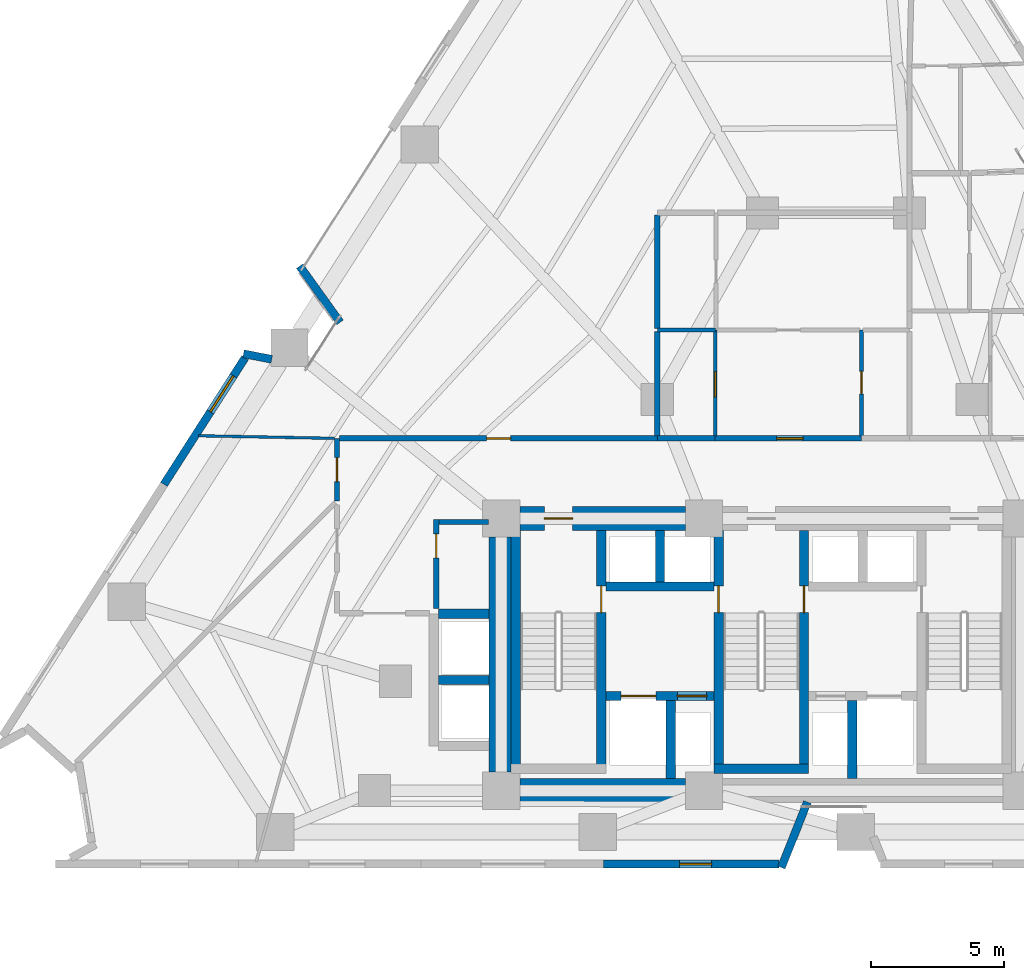
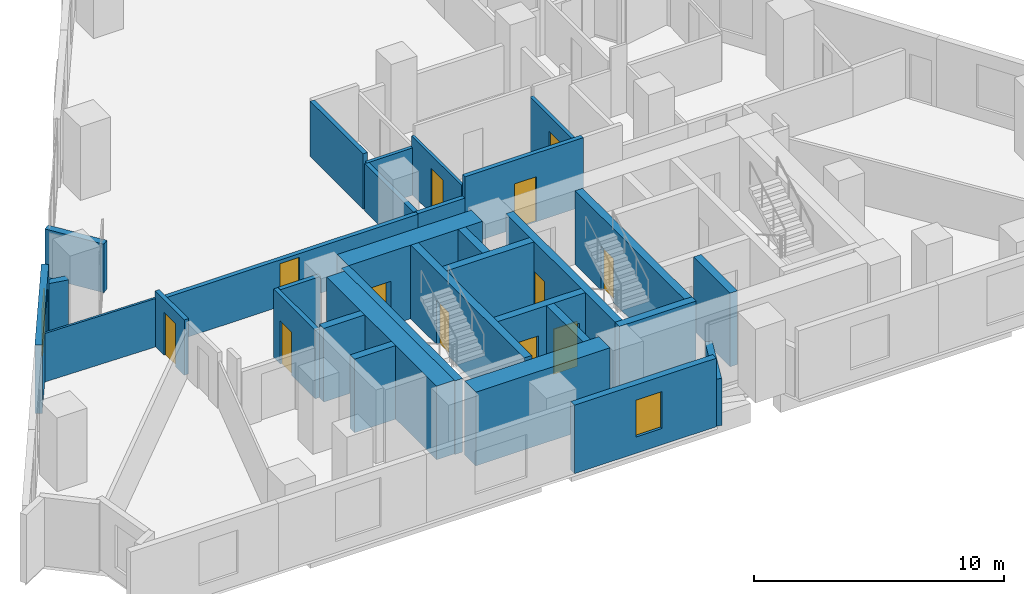
# One storey, part 7 of 13: 32 walls, 12 doors, 2 windows, 14 openings.
"""IFC4 building model written with IfcOpenShell, lengths in metres."""

from ifc_helpers import new_model, si_unit, direction, frame, frame_2d, origin, place, context, subcontext, project, spatial, rectangle, extrude, material, layer, layer_set, type_object, element, fill, save


model = new_model("IFC4")

# Units and contexts
model_context = context("Model", 3, precision=1e-05, world=origin(), true_north=direction((0.0, 1.0)))
body_context = subcontext(model_context, "Body", "Model", "MODEL_VIEW")
ifc_project = project(units=[si_unit("LENGTHUNIT", "METRE"), si_unit("AREAUNIT", "SQUARE_METRE"), si_unit("VOLUMEUNIT", "CUBIC_METRE"), si_unit("PLANEANGLEUNIT", "RADIAN"), si_unit("MASSUNIT", "GRAM", prefix="KILO")], contexts=[model_context])

# Site, building, storey
site_placement = place(None, origin())
site = spatial("IfcSite", under=ifc_project, at=site_placement, CompositionType="ELEMENT")
building_placement = place(site_placement, origin())
building = spatial("IfcBuilding", under=site, at=building_placement, Name="Almagre Mirador Tower", CompositionType="ELEMENT")
storey_placement = place(building_placement, frame((0.0, 0.0, 57.0)))
storey = spatial("IfcBuildingStorey", under=building, at=storey_placement, Name="L13", CompositionType="ELEMENT", Elevation=57.0)

# Walls
ifc_material_1 = material(Name="Precast concrete C50/60", Category="concrete")
ifc_layer_1 = layer(ifc_material_1, 0.300048828125)
ifc_layer_set_1 = layer_set([ifc_layer_1], Name="Precast concrete C50/60")
wall_type_1 = type_object("IfcWallType", Name="WAL-EXT-300", PredefinedType="SOLIDWALL", material=ifc_layer_set_1)
wall_1_placement = place(storey_placement, frame((17.896484375, 20.919677734375, 0.0), z_axis=(0.0, 0.0, 1.0), x_axis=(0.981760821738, -0.19012019593, 0.0)))
element("IfcWall", 1, at=wall_1_placement, inside=storey, type_object=wall_type_1, Name="L13 expressed almagre precast frame wall 01", PredefinedType="SOLIDWALL", context=body_context, shape_type="SweptSolid", body=[
    extrude(rectangle(XDim=1.081298828125, YDim=0.300048828125, at=frame_2d((0.54052734375, 0.0))), origin(), (0.0, 0.0, 1.0), 2.375),
])
wall_2_placement = place(storey_placement, frame((21.5146484375, 22.098388671875, 0.0), z_axis=(0.0, 0.0, 1.0), x_axis=(-0.58299973372, 0.812472344442, 0.0)))
element("IfcWall", 2, at=wall_2_placement, inside=storey, type_object=wall_type_1, Name="L13 expressed almagre precast frame wall 02", PredefinedType="SOLIDWALL", context=body_context, shape_type="SweptSolid", body=[
    extrude(rectangle(XDim=2.59375, YDim=0.300048828125, at=frame_2d((1.296875, 0.0))), origin(), (0.0, 0.0, 1.0), 2.375),
])
wall_3_placement = place(storey_placement, frame((39.0244140625, 4.124755859375, 0.0), z_axis=(0.0, 0.0, 1.0), x_axis=(-0.369477840539, -0.929239541426, 0.0)))
element("IfcWall", 3, at=wall_3_placement, inside=storey, type_object=wall_type_1, Name="L13 expressed almagre precast frame wall 27", PredefinedType="SOLIDWALL", context=body_context, shape_type="SweptSolid", body=[
    extrude(rectangle(XDim=2.641845703125, YDim=0.300048828125, at=frame_2d((1.32080078125, 0.0))), origin(), (0.0, 0.0, 1.0), 2.300048828125),
])

# Wall, opening, window
wall_4_placement = place(storey_placement, frame((37.965087890625, 1.800048828125, 0.0), z_axis=(0.0, 0.0, 1.0), x_axis=(-1.0, 0.0, 0.0)))
wall_4 = element("IfcWall", 4, at=wall_4_placement, inside=storey, type_object=wall_type_1, Name="L13 expressed almagre precast frame wall 28", PredefinedType="SOLIDWALL", context=body_context, shape_type="SweptSolid", body=[
    extrude(rectangle(XDim=6.570068359375, YDim=0.300048828125, at=frame_2d((3.28515625, 0.0))), origin(), (0.0, 0.0, 1.0), 3.35009765625),
])
opening_1_placement = place(wall_4_placement, frame((2.52490234375, 0.0, 0.800048828125)))
opening_1 = element("IfcOpeningElement", 5, at=opening_1_placement, cuts=wall_4, Name="Opening WN-04", PredefinedType="OPENING", context=body_context, shape_type="SweptSolid", body=[
    extrude(rectangle(XDim=1.199951171875, YDim=1.800048828125, at=frame_2d((0.60009765625, 0.89990234375))), frame((0.0, 0.159902, 0.0), z_axis=(0.0, -1.0, 0.0), x_axis=(1.0, 0.0, 0.0)), (0.0, 0.0, 1.0), 0.320049),
])
ifc_material_2 = material(Name="Dark solar-control laminated hurricane glass", Category="glass")
window_type_1 = type_object("IfcWindowType", Name="WIN-1200X1800", PartitioningType="SINGLE_PANEL", PredefinedType="WINDOW", material=ifc_material_2)
window_1_placement = place(opening_1_placement, origin())
window_1 = element("IfcWindow", 6, at=window_1_placement, inside=storey, type_object=window_type_1, Name="L13 recessed hurricane window L13-RST-B", OverallHeight=1.800048828125, OverallWidth=1.199951171875, PartitioningType="SINGLE_PANEL", PredefinedType="WINDOW", context=body_context, shape_type="SweptSolid", body=[
    extrude(rectangle(XDim=1.199951171875, YDim=1.800048828125, at=frame_2d((0.60009765625, 0.89990234375))), frame((0.0, 0.030029296875, 0.0), z_axis=(0.0, -1.0, 0.0), x_axis=(1.0, 0.0, 0.0)), (0.0, 0.0, 1.0), 0.06005859375),
])
fill(opening_1, window_1)

wall_5_placement = place(storey_placement, frame((14.916259765625, 16.02734375, 0.0), z_axis=(0.0, 0.0, 1.0), x_axis=(0.53951188624, 0.841977983445, 0.0)))
wall_5 = element("IfcWall", 7, at=wall_5_placement, inside=storey, type_object=wall_type_1, Name="L13 expressed almagre precast frame wall 38", PredefinedType="SOLIDWALL", context=body_context, shape_type="SweptSolid", body=[
    extrude(rectangle(XDim=5.638916015625, YDim=0.300048828125, at=frame_2d((2.8193359375, 0.0))), origin(), (0.0, 0.0, 1.0), 3.35009765625),
])
opening_2_placement = place(wall_5_placement, frame((3.22509765625, 0.0, 0.550048828125)))
opening_2 = element("IfcOpeningElement", 8, at=opening_2_placement, cuts=wall_5, Name="Opening WN-06", PredefinedType="OPENING", context=body_context, shape_type="SweptSolid", body=[
    extrude(rectangle(XDim=1.60009765625, YDim=2.199951171875, at=frame_2d((0.800048828125, 1.10009765625))), frame((0.0, 0.159902, 0.0), z_axis=(0.0, -1.0, 0.0), x_axis=(1.0, 0.0, 0.0)), (0.0, 0.0, 1.0), 0.320049),
])
ifc_material_3 = material(Name="Dark solar-control laminated hurricane glass", Category="glass")
window_type_2 = type_object("IfcWindowType", Name="WIN-1600X2200", PartitioningType="DOUBLE_PANEL_VERTICAL", PredefinedType="WINDOW", material=ifc_material_3)
window_2_placement = place(opening_2_placement, origin())
window_2 = element("IfcWindow", 9, at=window_2_placement, inside=storey, type_object=window_type_2, Name="L13 recessed hurricane window L13-RST-H", OverallHeight=2.199951171875, OverallWidth=1.60009765625, PartitioningType="SINGLE_PANEL", PredefinedType="WINDOW", context=body_context, shape_type="SweptSolid", body=[
    extrude(rectangle(XDim=1.60009765625, YDim=2.199951171875, at=frame_2d((0.800048828125, 1.10009765625))), frame((0.0, 0.030029296875, 0.0), z_axis=(0.0, -1.0, 0.0), x_axis=(1.0, 0.0, 0.0)), (0.0, 0.0, 1.0), 0.06005859375),
])
fill(opening_2, window_2)

# Wall
ifc_material_4 = material(Name="Gypsum acoustic stud partition", Category="other")
ifc_layer_2 = layer(ifc_material_4, 0.10009765625)
ifc_layer_set_2 = layer_set([ifc_layer_2], Name="Gypsum acoustic stud partition")
wall_type_2 = type_object("IfcWallType", Name="WAL-PRT-100-CLS", PredefinedType="PARTITIONING", material=ifc_layer_set_2)
wall_6_placement = place(storey_placement, frame((21.31494140625, 17.751220703125, 0.0), z_axis=(0.0, 0.0, 1.0), x_axis=(-0.999820581263, 0.018942156262, 0.0)))
element("IfcWall", 10, at=wall_6_placement, inside=storey, type_object=wall_type_2, Name="L13 interior partition 017", PredefinedType="PARTITIONING", context=body_context, shape_type="SweptSolid", body=[
    extrude(rectangle(XDim=5.10400390625, YDim=0.10009765625, at=frame_2d((2.552001953125, 0.0))), origin(), (0.0, 0.0, 1.0), 2.3701171875),
])

# Wall, opening, door
ifc_material_5 = material(Name="Gypsum acoustic stud partition", Category="other")
ifc_layer_3 = layer(ifc_material_5, 0.125)
ifc_layer_set_3 = layer_set([ifc_layer_3], Name="Gypsum acoustic stud partition")
wall_type_3 = type_object("IfcWallType", Name="WAL-PRT-125-UTL", PredefinedType="PARTITIONING", material=ifc_layer_set_3)
wall_7_placement = place(storey_placement, frame((35.570068359375, 21.81005859375, 0.0), z_axis=(0.0, 0.0, 1.0), x_axis=(0.0, -1.0, 0.0)))
wall_7 = element("IfcWall", 11, at=wall_7_placement, inside=storey, type_object=wall_type_3, Name="L13 interior partition 021", PredefinedType="PARTITIONING", context=body_context, shape_type="SweptSolid", body=[
    extrude(rectangle(XDim=3.97509765625, YDim=0.125, at=frame_2d((1.987548828125, 0.0))), origin(), (0.0, 0.0, 1.0), 2.85302734375),
])
opening_3_placement = place(wall_7_placement, frame((1.554931640625, 0.0, 0.0)))
opening_3 = element("IfcOpeningElement", 12, at=opening_3_placement, cuts=wall_7, Name="Opening UD-01", PredefinedType="OPENING", context=body_context, shape_type="SweptSolid", body=[
    extrude(rectangle(XDim=0.949951171875, YDim=2.199951171875, at=frame_2d((0.47509765625, 1.10009765625))), frame((0.0, 0.0725, 0.0), z_axis=(0.0, -1.0, 0.0), x_axis=(1.0, 0.0, 0.0)), (0.0, 0.0, 1.0), 0.145),
])
ifc_material_6 = material(Name="Solid American walnut timber", Category="wood")
door_type_1 = type_object("IfcDoorType", Name="DOR-UNR-950X2200", OperationType="NOTDEFINED", PredefinedType="DOOR", material=ifc_material_6)
door_1_placement = place(opening_3_placement, origin())
door_1 = element("IfcDoor", 13, at=door_1_placement, inside=storey, type_object=door_type_1, Name="DR-0433 L13 interior door L13-UF-LV to L13-UF-KT", OperationType="SINGLE_SWING_LEFT", OverallHeight=2.199951171875, OverallWidth=0.949951171875, PredefinedType="DOOR", context=body_context, shape_type="SweptSolid", body=[
    extrude(rectangle(XDim=0.949951171875, YDim=2.199951171875, at=frame_2d((0.47509765625, 1.10009765625))), frame((0.0, 0.02490234375, 0.0), z_axis=(0.0, -1.0, 0.0), x_axis=(1.0, 0.0, 0.0)), (0.0, 0.0, 1.0), 0.050048828125),
])
fill(opening_3, door_1)

ifc_material_7 = material(Name="Gypsum acoustic stud partition", Category="other")
ifc_layer_4 = layer(ifc_material_7, 0.14990234375)
ifc_layer_set_4 = layer_set([ifc_layer_4], Name="Gypsum acoustic stud partition")
wall_type_4 = type_object("IfcWallType", Name="WAL-PRT-150-STD", PredefinedType="PARTITIONING", material=ifc_layer_set_4)
wall_8_placement = place(storey_placement, frame((41.050048828125, 17.8349609375, 0.0), z_axis=(0.0, 0.0, 1.0), x_axis=(0.0, 1.0, 0.0)))
wall_8 = element("IfcWall", 14, at=wall_8_placement, inside=storey, type_object=wall_type_4, Name="L13 interior partition 020", PredefinedType="PARTITIONING", context=body_context, shape_type="SweptSolid", body=[
    extrude(rectangle(XDim=3.97509765625, YDim=0.14990234375, at=frame_2d((1.987548828125, 0.0))), origin(), (0.0, 0.0, 1.0), 2.85302734375),
])
opening_4_placement = place(wall_8_placement, frame((1.57861328125, 0.0, 0.0)))
opening_4 = element("IfcOpeningElement", 15, at=opening_4_placement, cuts=wall_8, Name="Opening UD-04", PredefinedType="OPENING", context=body_context, shape_type="SweptSolid", body=[
    extrude(rectangle(XDim=0.85009765625, YDim=2.10009765625, at=frame_2d((0.425048828125, 1.050048828125))), frame((0.0, 0.084951, 0.0), z_axis=(0.0, -1.0, 0.0), x_axis=(1.0, 0.0, 0.0)), (0.0, 0.0, 1.0), 0.169902),
])
ifc_material_8 = material(Name="Moisture-resistant oak timber", Category="wood")
door_type_2 = type_object("IfcDoorType", Name="DOR-UNR-850X2100", OperationType="NOTDEFINED", PredefinedType="DOOR", material=ifc_material_8)
door_2_placement = place(opening_4_placement, origin())
door_2 = element("IfcDoor", 16, at=door_2_placement, inside=storey, type_object=door_type_2, Name="DR-0434 L13 interior door L13-UF-LV to L13-UF-HB", OperationType="SINGLE_SWING_RIGHT", OverallHeight=2.10009765625, OverallWidth=0.85009765625, PredefinedType="DOOR", context=body_context, shape_type="SweptSolid", body=[
    extrude(rectangle(XDim=0.85009765625, YDim=2.10009765625, at=frame_2d((0.425048828125, 1.050048828125))), frame((0.0, 0.02490234375, 0.0), z_axis=(0.0, -1.0, 0.0), x_axis=(1.0, 0.0, 0.0)), (0.0, 0.0, 1.0), 0.050048828125),
])
fill(opening_4, door_2)

# Wall
wall_9_placement = place(storey_placement, frame((35.58251953125, 21.81005859375, 0.0), z_axis=(0.0, 0.0, 1.0), x_axis=(-1.0, 0.0, 0.0)))
element("IfcWall", 17, at=wall_9_placement, inside=storey, type_object=wall_type_4, Name="L13 interior partition 025", PredefinedType="PARTITIONING", context=body_context, shape_type="SweptSolid", body=[
    extrude(rectangle(XDim=2.1826171875, YDim=0.14990234375, at=frame_2d((1.09130859375, 0.0))), origin(), (0.0, 0.0, 1.0), 2.30908203125),
])

# Wall, opening, door
ifc_material_9 = material(Name="Gypsum acoustic stud partition", Category="other")
ifc_layer_5 = layer(ifc_material_9, 0.199951171875)
ifc_layer_set_5 = layer_set([ifc_layer_5], Name="Gypsum acoustic stud partition")
wall_type_5 = type_object("IfcWallType", Name="WAL-PRT-200-EI60", PredefinedType="PARTITIONING", material=ifc_layer_set_5)
wall_10_placement = place(storey_placement, frame((25.1201171875, 11.3701171875, 0.0), z_axis=(0.0, 0.0, 1.0), x_axis=(0.0, 1.0, 0.0)))
wall_10 = element("IfcWall", 18, at=wall_10_placement, inside=storey, type_object=wall_type_5, Name="L13 core ancillary west wall", PredefinedType="PARTITIONING", context=body_context, shape_type="SweptSolid", body=[
    extrude(rectangle(XDim=3.33984375, YDim=0.199951171875, at=frame_2d((1.669921875, 0.0))), origin(), (0.0, 0.0, 1.0), 3.35009765625),
])
opening_5_placement = place(wall_10_placement, frame((1.89990234375, 0.0, 0.0)))
opening_5 = element("IfcOpeningElement", 19, at=opening_5_placement, cuts=wall_10, Name="Opening ID-03", PredefinedType="OPENING", context=body_context, shape_type="SweptSolid", body=[
    extrude(rectangle(XDim=0.89990234375, YDim=2.10009765625, at=frame_2d((0.449951171875, 1.050048828125))), frame((0.0, 0.110098, 0.0), z_axis=(0.0, -1.0, 0.0), x_axis=(1.0, 0.0, 0.0)), (0.0, 0.0, 1.0), 0.219951),
])
ifc_material_10 = material(Name="Fire-rated hollow steel", Category="steel")
door_type_3 = type_object("IfcDoorType", Name="DOR-FD60-900X2100", OperationType="NOTDEFINED", PredefinedType="DOOR", material=ifc_material_10)
door_3_placement = place(opening_5_placement, origin())
door_3 = element("IfcDoor", 20, at=door_3_placement, inside=storey, type_object=door_type_3, Name="DR-0422 L13 core ancillary corridor door", OperationType="SINGLE_SWING_LEFT", OverallHeight=2.10009765625, OverallWidth=0.89990234375, PredefinedType="DOOR", context=body_context, shape_type="SweptSolid", body=[
    extrude(rectangle(XDim=0.89990234375, YDim=2.10009765625, at=frame_2d((0.449951171875, 1.050048828125))), frame((0.0, 0.02490234375, 0.0), z_axis=(0.0, -1.0, 0.0), x_axis=(1.0, 0.0, 0.0)), (0.0, 0.0, 1.0), 0.050048828125),
])
fill(opening_5, door_3)

# Wall
wall_11_placement = place(storey_placement, frame((25.22509765625, 14.6201171875, 0.0), z_axis=(0.0, 0.0, 1.0), x_axis=(1.0, 0.0, 0.0)))
element("IfcWall", 21, at=wall_11_placement, inside=storey, type_object=wall_type_5, Name="L13 core ancillary north wall", PredefinedType="PARTITIONING", context=body_context, shape_type="SweptSolid", body=[
    extrude(rectangle(XDim=1.85986328125, YDim=0.199951171875, at=frame_2d((0.929931640625, 0.0))), origin(), (0.0, 0.0, 1.0), 3.35009765625),
])

# Wall, opening, door
wall_12_placement = place(storey_placement, frame((21.39990234375, 17.75, 0.0), z_axis=(0.0, 0.0, 1.0), x_axis=(0.0, -1.0, 0.0)))
wall_12 = element("IfcWall", 22, at=wall_12_placement, inside=storey, type_object=wall_type_5, Name="L13 interior partition 006", PredefinedType="PARTITIONING", context=body_context, shape_type="SweptSolid", body=[
    extrude(rectangle(XDim=2.340087890625, YDim=0.199951171875, at=frame_2d((1.169921875, 0.0))), origin(), (0.0, 0.0, 1.0), 2.708984375),
])
opening_6_placement = place(wall_12_placement, frame((0.719970703125, 0.0, 0.0)))
opening_6 = element("IfcOpeningElement", 23, at=opening_6_placement, cuts=wall_12, Name="Opening ID-03", PredefinedType="OPENING", context=body_context, shape_type="SweptSolid", body=[
    extrude(rectangle(XDim=0.89990234375, YDim=2.10009765625, at=frame_2d((0.449951171875, 1.050048828125))), frame((0.0, 0.110098, 0.0), z_axis=(0.0, -1.0, 0.0), x_axis=(1.0, 0.0, 0.0)), (0.0, 0.0, 1.0), 0.219951),
])
door_4_placement = place(opening_6_placement, origin())
door_4 = element("IfcDoor", 24, at=door_4_placement, inside=storey, type_object=door_type_3, Name="DR-0429 L13 interior door L13-RCOR to L13-RST-D", OperationType="SINGLE_SWING_LEFT", OverallHeight=2.10009765625, OverallWidth=0.89990234375, PredefinedType="DOOR", context=body_context, shape_type="SweptSolid", body=[
    extrude(rectangle(XDim=0.89990234375, YDim=2.10009765625, at=frame_2d((0.449951171875, 1.050048828125))), frame((0.0, 0.02490234375, 0.0), z_axis=(0.0, -1.0, 0.0), x_axis=(1.0, 0.0, 0.0)), (0.0, 0.0, 1.0), 0.050048828125),
])
fill(opening_6, door_4)

wall_13_placement = place(storey_placement, frame((41.050048828125, 17.75, 0.0), z_axis=(0.0, 0.0, 1.0), x_axis=(-1.0, 0.0, 0.0)))
wall_13 = element("IfcWall", 25, at=wall_13_placement, inside=storey, type_object=wall_type_5, Name="L13 interior partition 008", PredefinedType="PARTITIONING", context=body_context, shape_type="SweptSolid", body=[
    extrude(rectangle(XDim=5.47998046875, YDim=0.199951171875, at=frame_2d((2.739990234375, 0.0))), origin(), (0.0, 0.0, 1.0), 3.35009765625),
])
opening_7_placement = place(wall_13_placement, frame((2.179931640625, 0.0, 0.0)))
opening_7 = element("IfcOpeningElement", 26, at=opening_7_placement, cuts=wall_13, Name="Opening ID-01", PredefinedType="OPENING", context=body_context, shape_type="SweptSolid", body=[
    extrude(rectangle(XDim=1.0, YDim=2.199951171875, at=frame_2d((0.5, 1.10009765625))), frame((0.0, 0.110098, 0.0), z_axis=(0.0, -1.0, 0.0), x_axis=(1.0, 0.0, 0.0)), (0.0, 0.0, 1.0), 0.219951),
])
ifc_material_11 = material(Name="Fire-rated walnut timber", Category="wood")
door_type_4 = type_object("IfcDoorType", Name="DOR-FD60-1000X2200", OperationType="NOTDEFINED", PredefinedType="DOOR", material=ifc_material_11)
door_5_placement = place(opening_7_placement, origin())
door_5 = element("IfcDoor", 27, at=door_5_placement, inside=storey, type_object=door_type_4, Name="DR-0432 L13 interior door L13-RCOR to L13-UF-LV", OperationType="SINGLE_SWING_RIGHT", OverallHeight=2.199951171875, OverallWidth=1.0, PredefinedType="DOOR", context=body_context, shape_type="SweptSolid", body=[
    extrude(rectangle(XDim=1.0, YDim=2.199951171875, at=frame_2d((0.5, 1.10009765625))), frame((0.0, 0.02490234375, 0.0), z_axis=(0.0, -1.0, 0.0), x_axis=(1.0, 0.0, 0.0)), (0.0, 0.0, 1.0), 0.050048828125),
])
fill(opening_7, door_5)

# Wall
wall_14_placement = place(storey_placement, frame((35.570068359375, 17.75, 0.0), z_axis=(0.0, 0.0, 1.0), x_axis=(-1.0, 0.0, 0.0)))
element("IfcWall", 28, at=wall_14_placement, inside=storey, type_object=wall_type_5, Name="L13 interior partition 010", PredefinedType="PARTITIONING", context=body_context, shape_type="SweptSolid", body=[
    extrude(rectangle(XDim=2.170166015625, YDim=0.199951171875, at=frame_2d((1.0849609375, 0.0))), origin(), (0.0, 0.0, 1.0), 2.30908203125),
])

# Wall, opening, door
wall_15_placement = place(storey_placement, frame((33.39990234375, 17.75, 0.0), z_axis=(0.0, 0.0, 1.0), x_axis=(-1.0, 0.0, 0.0)))
wall_15 = element("IfcWall", 29, at=wall_15_placement, inside=storey, type_object=wall_type_5, Name="L13 interior partition 013", PredefinedType="PARTITIONING", context=body_context, shape_type="SweptSolid", body=[
    extrude(rectangle(XDim=11.914794921875, YDim=0.199951171875, at=frame_2d((5.95751953125, 0.0))), origin(), (0.0, 0.0, 1.0), 2.279052734375),
])
opening_8_placement = place(wall_15_placement, frame((5.490478515625, 0.0, 0.0)))
opening_8 = element("IfcOpeningElement", 30, at=opening_8_placement, cuts=wall_15, Name="Opening ID-03", PredefinedType="OPENING", context=body_context, shape_type="SweptSolid", body=[
    extrude(rectangle(XDim=0.89990234375, YDim=2.10009765625, at=frame_2d((0.449951171875, 1.050048828125))), frame((0.0, 0.110098, 0.0), z_axis=(0.0, -1.0, 0.0), x_axis=(1.0, 0.0, 0.0)), (0.0, 0.0, 1.0), 0.219951),
])
door_6_placement = place(opening_8_placement, origin())
door_6 = element("IfcDoor", 31, at=door_6_placement, inside=storey, type_object=door_type_3, Name="DR-0431 L13 interior door L13-RCOR to L13-RST-H", OperationType="SINGLE_SWING_LEFT", OverallHeight=2.10009765625, OverallWidth=0.89990234375, PredefinedType="DOOR", context=body_context, shape_type="SweptSolid", body=[
    extrude(rectangle(XDim=0.89990234375, YDim=2.10009765625, at=frame_2d((0.449951171875, 1.050048828125))), frame((0.0, 0.02490234375, 0.0), z_axis=(0.0, -1.0, 0.0), x_axis=(1.0, 0.0, 0.0)), (0.0, 0.0, 1.0), 0.050048828125),
])
fill(opening_8, door_6)

# Walls
wall_16_placement = place(storey_placement, frame((33.39990234375, 21.75, 0.0), z_axis=(0.0, 0.0, 1.0), x_axis=(0.0, -1.0, 0.0)))
element("IfcWall", 32, at=wall_16_placement, inside=storey, type_object=wall_type_5, Name="L13 interior partition 026", PredefinedType="PARTITIONING", context=body_context, shape_type="SweptSolid", body=[
    extrude(rectangle(XDim=3.9150390625, YDim=0.199951171875, at=frame_2d((1.95751953125, 0.0))), origin(), (0.0, 0.0, 1.0), 2.30908203125),
])
wall_17_placement = place(storey_placement, frame((33.39990234375, 26.114990234375, 0.0), z_axis=(0.0, 0.0, 1.0), x_axis=(0.0, -1.0, 0.0)))
element("IfcWall", 33, at=wall_17_placement, inside=storey, type_object=wall_type_5, Name="L13 interior partition 032", PredefinedType="PARTITIONING", context=body_context, shape_type="SweptSolid", body=[
    extrude(rectangle(XDim=4.244873046875, YDim=0.199951171875, at=frame_2d((2.12255859375, 0.0))), origin(), (0.0, 0.0, 1.0), 2.708984375),
])
ifc_material_12 = material(Name="Concrete C60/75", Category="concrete")
ifc_layer_6 = layer(ifc_material_12, 0.35009765625)
ifc_layer_set_6 = layer_set([ifc_layer_6], Name="Concrete C60/75")
wall_type_6 = type_object("IfcWallType", Name="WAL-SHF-350", PredefinedType="SOLIDWALL", material=ifc_layer_set_6)
wall_18_placement = place(storey_placement, frame((28.10009765625, 5.199951171875, 0.0), z_axis=(0.0, 0.0, 1.0), x_axis=(0.0, 1.0, 0.0)))
element("IfcWall", 34, at=wall_18_placement, inside=storey, type_object=wall_type_6, Name="L13 shaft wall ST1-W", PredefinedType="SOLIDWALL", context=body_context, shape_type="SweptSolid", body=[
    extrude(rectangle(XDim=9.10009765625, YDim=0.35009765625, at=frame_2d((4.550048828125, 0.0))), origin(), (0.0, 0.0, 1.0), 3.60009765625),
])

# Wall, opening, door
wall_19_placement = place(storey_placement, frame((31.300048828125, 5.199951171875, 0.0), z_axis=(0.0, 0.0, 1.0), x_axis=(0.0, 1.0, 0.0)))
wall_19 = element("IfcWall", 35, at=wall_19_placement, inside=storey, type_object=wall_type_6, Name="L13 shaft wall ST1-E", PredefinedType="SOLIDWALL", context=body_context, shape_type="SweptSolid", body=[
    extrude(rectangle(XDim=9.10009765625, YDim=0.35009765625, at=frame_2d((4.550048828125, 0.0))), origin(), (0.0, 0.0, 1.0), 3.60009765625),
])
opening_9_placement = place(wall_19_placement, frame((6.02001953125, 0.0, 0.0)))
opening_9 = element("IfcOpeningElement", 36, at=opening_9_placement, cuts=wall_19, Name="Opening FD-01", PredefinedType="OPENING", context=body_context, shape_type="SweptSolid", body=[
    extrude(rectangle(XDim=1.0, YDim=2.14990234375, at=frame_2d((0.5, 1.074951171875))), frame((0.0, 0.185049, 0.0), z_axis=(0.0, -1.0, 0.0), x_axis=(1.0, 0.0, 0.0)), (0.0, 0.0, 1.0), 0.370098),
])
ifc_material_13 = material(Name="Fire-rated hollow steel", Category="steel")
door_type_5 = type_object("IfcDoorType", Name="DOR-FFL-1000X2150", OperationType="NOTDEFINED", PredefinedType="DOOR", material=ifc_material_13)
door_7_placement = place(opening_9_placement, origin())
door_7 = element("IfcDoor", 37, at=door_7_placement, inside=storey, type_object=door_type_5, Name="DR-0423 L13 FFL1-ST1 smokeproof door", OperationType="SINGLE_SWING_LEFT", OverallHeight=2.14990234375, OverallWidth=1.0, PredefinedType="DOOR", context=body_context, shape_type="SweptSolid", body=[
    extrude(rectangle(XDim=1.0, YDim=2.14990234375, at=frame_2d((0.5, 1.074951171875))), frame((0.0, 0.02490234375, 0.0), z_axis=(0.0, -1.0, 0.0), x_axis=(1.0, 0.0, 0.0)), (0.0, 0.0, 1.0), 0.050048828125),
])
fill(opening_9, door_7)

wall_20_placement = place(storey_placement, frame((35.699951171875, 5.199951171875, 0.0), z_axis=(0.0, 0.0, 1.0), x_axis=(0.0, 1.0, 0.0)))
wall_20 = element("IfcWall", 38, at=wall_20_placement, inside=storey, type_object=wall_type_6, Name="L13 shaft wall ST2-W", PredefinedType="SOLIDWALL", context=body_context, shape_type="SweptSolid", body=[
    extrude(rectangle(XDim=9.10009765625, YDim=0.35009765625, at=frame_2d((4.550048828125, 0.0))), origin(), (0.0, 0.0, 1.0), 3.60009765625),
])
opening_10_placement = place(wall_20_placement, frame((6.02001953125, 0.0, 0.0)))
opening_10 = element("IfcOpeningElement", 39, at=opening_10_placement, cuts=wall_20, Name="Opening FD-01", PredefinedType="OPENING", context=body_context, shape_type="SweptSolid", body=[
    extrude(rectangle(XDim=1.0, YDim=2.14990234375, at=frame_2d((0.5, 1.074951171875))), frame((0.0, 0.185049, 0.0), z_axis=(0.0, -1.0, 0.0), x_axis=(1.0, 0.0, 0.0)), (0.0, 0.0, 1.0), 0.370098),
])
door_8_placement = place(opening_10_placement, origin())
door_8 = element("IfcDoor", 40, at=door_8_placement, inside=storey, type_object=door_type_5, Name="DR-0424 L13 FFL1-ST2 smokeproof door", OperationType="SINGLE_SWING_RIGHT", OverallHeight=2.14990234375, OverallWidth=1.0, PredefinedType="DOOR", context=body_context, shape_type="SweptSolid", body=[
    extrude(rectangle(XDim=1.0, YDim=2.14990234375, at=frame_2d((0.5, 1.074951171875))), frame((0.0, 0.02490234375, 0.0), z_axis=(0.0, -1.0, 0.0), x_axis=(1.0, 0.0, 0.0)), (0.0, 0.0, 1.0), 0.050048828125),
])
fill(opening_10, door_8)

wall_21_placement = place(storey_placement, frame((38.89990234375, 5.199951171875, 0.0), z_axis=(0.0, 0.0, 1.0), x_axis=(0.0, 1.0, 0.0)))
wall_21 = element("IfcWall", 41, at=wall_21_placement, inside=storey, type_object=wall_type_6, Name="L13 shaft wall ST2-E", PredefinedType="SOLIDWALL", context=body_context, shape_type="SweptSolid", body=[
    extrude(rectangle(XDim=9.10009765625, YDim=0.35009765625, at=frame_2d((4.550048828125, 0.0))), origin(), (0.0, 0.0, 1.0), 3.60009765625),
])
opening_11_placement = place(wall_21_placement, frame((6.02001953125, 0.0, 0.0)))
opening_11 = element("IfcOpeningElement", 42, at=opening_11_placement, cuts=wall_21, Name="Opening FD-01", PredefinedType="OPENING", context=body_context, shape_type="SweptSolid", body=[
    extrude(rectangle(XDim=1.0, YDim=2.14990234375, at=frame_2d((0.5, 1.074951171875))), frame((0.0, 0.185049, 0.0), z_axis=(0.0, -1.0, 0.0), x_axis=(1.0, 0.0, 0.0)), (0.0, 0.0, 1.0), 0.370098),
])
door_9_placement = place(opening_11_placement, origin())
door_9 = element("IfcDoor", 43, at=door_9_placement, inside=storey, type_object=door_type_5, Name="DR-0425 L13 FFL2-ST2 smokeproof door", OperationType="SINGLE_SWING_LEFT", OverallHeight=2.14990234375, OverallWidth=1.0, PredefinedType="DOOR", context=body_context, shape_type="SweptSolid", body=[
    extrude(rectangle(XDim=1.0, YDim=2.14990234375, at=frame_2d((0.5, 1.074951171875))), frame((0.0, 0.02490234375, 0.0), z_axis=(0.0, -1.0, 0.0), x_axis=(1.0, 0.0, 0.0)), (0.0, 0.0, 1.0), 0.050048828125),
])
fill(opening_11, door_9)

# Wall
wall_22_placement = place(storey_placement, frame((35.52490234375, 5.375, 0.0), z_axis=(0.0, 0.0, 1.0), x_axis=(1.0, 0.0, 0.0)))
element("IfcWall", 44, at=wall_22_placement, inside=storey, type_object=wall_type_6, Name="L13 shaft wall ST2-S", PredefinedType="SOLIDWALL", context=body_context, shape_type="SweptSolid", body=[
    extrude(rectangle(XDim=3.550048828125, YDim=0.35009765625, at=frame_2d((1.77490234375, 0.0))), origin(), (0.0, 0.0, 1.0), 3.60009765625),
])

# Wall, openings, doors
wall_23_placement = place(storey_placement, frame((31.47509765625, 8.10009765625, 0.0), z_axis=(0.0, 0.0, 1.0), x_axis=(1.0, 0.0, 0.0)))
wall_23 = element("IfcWall", 45, at=wall_23_placement, inside=storey, type_object=wall_type_6, Name="L13 shaft wall FSAE1-N", PredefinedType="SOLIDWALL", context=body_context, shape_type="SweptSolid", body=[
    extrude(rectangle(XDim=4.0498046875, YDim=0.35009765625, at=frame_2d((2.02490234375, 0.0))), origin(), (0.0, 0.0, 1.0), 3.60009765625),
])
opening_12_placement = place(wall_23_placement, frame((0.574951171875, 0.0, 0.0)))
opening_12 = element("IfcOpeningElement", 46, at=opening_12_placement, cuts=wall_23, Name="Opening LD-03", PredefinedType="OPENING", context=body_context, shape_type="SweptSolid", body=[
    extrude(rectangle(XDim=1.300048828125, YDim=2.25, at=frame_2d((0.64990234375, 1.125))), frame((0.0, 0.185049, 0.0), z_axis=(0.0, -1.0, 0.0), x_axis=(1.0, 0.0, 0.0)), (0.0, 0.0, 1.0), 0.370098),
])
opening_13_placement = place(wall_23_placement, frame((2.675048828125, 0.0, 0.0)))
opening_13 = element("IfcOpeningElement", 47, at=opening_13_placement, cuts=wall_23, Name="Opening LD-01", PredefinedType="OPENING", context=body_context, shape_type="SweptSolid", body=[
    extrude(rectangle(XDim=1.10009765625, YDim=2.199951171875, at=frame_2d((0.550048828125, 1.10009765625))), frame((0.0, 0.185049, 0.0), z_axis=(0.0, -1.0, 0.0), x_axis=(1.0, 0.0, 0.0)), (0.0, 0.0, 1.0), 0.370098),
])
ifc_material_14 = material(Name="Hollow stainless steel", Category="steel")
door_type_6 = type_object("IfcDoorType", Name="DOR-LD-1100X2200", OperationType="DOUBLE_DOOR_SLIDING", PredefinedType="DOOR", material=ifc_material_14)
door_10_placement = place(opening_13_placement, origin())
door_10 = element("IfcDoor", 48, at=door_10_placement, inside=storey, type_object=door_type_6, Name="DR-0447 L13 PL-L1 lift landing door", OperationType="DOUBLE_DOOR_SLIDING", OverallHeight=2.199951171875, OverallWidth=1.10009765625, PredefinedType="DOOR", context=body_context, shape_type="SweptSolid", body=[
    extrude(rectangle(XDim=1.10009765625, YDim=2.199951171875, at=frame_2d((0.550048828125, 1.10009765625))), frame((0.0, 0.02490234375, 0.0), z_axis=(0.0, -1.0, 0.0), x_axis=(1.0, 0.0, 0.0)), (0.0, 0.0, 1.0), 0.050048828125),
])
fill(opening_13, door_10)
ifc_material_15 = material(Name="Hollow stainless steel", Category="steel")
door_type_7 = type_object("IfcDoorType", Name="DOR-LD-1300X2250", OperationType="DOUBLE_DOOR_SLIDING", PredefinedType="DOOR", material=ifc_material_15)
door_11_placement = place(opening_12_placement, origin())
door_11 = element("IfcDoor", 49, at=door_11_placement, inside=storey, type_object=door_type_7, Name="DR-0445 L13 FSAE-1 lift landing door", OperationType="DOUBLE_DOOR_SLIDING", OverallHeight=2.25, OverallWidth=1.300048828125, PredefinedType="DOOR", context=body_context, shape_type="SweptSolid", body=[
    extrude(rectangle(XDim=1.300048828125, YDim=2.25, at=frame_2d((0.64990234375, 1.125))), frame((0.0, 0.02490234375, 0.0), z_axis=(0.0, -1.0, 0.0), x_axis=(1.0, 0.0, 0.0)), (0.0, 0.0, 1.0), 0.050048828125),
])
fill(opening_12, door_11)

# Walls
for number, where, z_axis, x_axis, name in (
    (50, (33.89990234375, 5.0, 0.0), (0.0, 0.0, 1.0), (0.0, 1.0, 0.0), "L13 shaft wall FSAE1-E"),
    (51, (40.699951171875, 5.0, 0.0), (0.0, 0.0, 1.0), (0.0, 1.0, 0.0), "L13 shaft wall FSAE2-W"),
):
    element("IfcWall", number, at=place(storey_placement, frame(where, z_axis=z_axis, x_axis=x_axis)), inside=storey, type_object=wall_type_6, Name=name, PredefinedType="SOLIDWALL", context=body_context, shape_type="SweptSolid", body=[
        extrude(rectangle(XDim=2.925048828125, YDim=0.35009765625, at=frame_2d((1.46240234375, 0.0))), origin(), (0.0, 0.0, 1.0), 3.60009765625),
    ])
wall_24_placement = place(storey_placement, frame((31.47509765625, 12.199951171875, 0.0), z_axis=(0.0, 0.0, 1.0), x_axis=(1.0, 0.0, 0.0)))
element("IfcWall", 52, at=wall_24_placement, inside=storey, type_object=wall_type_6, Name="L13 shaft wall PLM-S", PredefinedType="SOLIDWALL", context=body_context, shape_type="SweptSolid", body=[
    extrude(rectangle(XDim=4.0498046875, YDim=0.35009765625, at=frame_2d((2.02490234375, 0.0))), origin(), (0.0, 0.0, 1.0), 3.60009765625),
])
wall_25_placement = place(storey_placement, frame((33.5, 12.375, 0.0), z_axis=(0.0, 0.0, 1.0), x_axis=(0.0, 1.0, 0.0)))
element("IfcWall", 53, at=wall_25_placement, inside=storey, type_object=wall_type_6, Name="L13 shaft wall PLM-M", PredefinedType="SOLIDWALL", context=body_context, shape_type="SweptSolid", body=[
    extrude(rectangle(XDim=1.925048828125, YDim=0.35009765625, at=frame_2d((0.96240234375, 0.0))), origin(), (0.0, 0.0, 1.0), 3.60009765625),
])
for number, where, z_axis, x_axis, name in (
    (54, (25.199951171875, 8.699951171875, 0.0), (0.0, 0.0, 1.0), (1.0, 0.0, 0.0), "L13 shaft wall OL-M"),
    (55, (25.199951171875, 11.175048828125, 0.0), (0.0, 0.0, 1.0), (1.0, 0.0, 0.0), "L13 shaft wall OL-N"),
):
    element("IfcWall", number, at=place(storey_placement, frame(where, z_axis=z_axis, x_axis=x_axis)), inside=storey, type_object=wall_type_6, Name=name, PredefinedType="SOLIDWALL", context=body_context, shape_type="SweptSolid", body=[
        extrude(rectangle(XDim=1.900146484375, YDim=0.35009765625, at=frame_2d((0.9501953125, 0.0))), origin(), (0.0, 0.0, 1.0), 3.60009765625),
    ])
ifc_material_16 = material(Name="Concrete C70/85", Category="concrete")
ifc_layer_7 = layer(ifc_material_16, 0.89990234375)
ifc_layer_set_7 = layer_set([ifc_layer_7], Name="Concrete C70/85")
wall_type_7 = type_object("IfcWallType", Name="WAL-SHR-900", PredefinedType="SHEAR", material=ifc_layer_set_7)
wall_26_placement = place(storey_placement, frame((28.25, 4.550048828125, 0.0), z_axis=(0.0, 0.0, 1.0), x_axis=(1.0, 0.0, 0.0)))
element("IfcWall", 56, at=wall_26_placement, inside=storey, type_object=wall_type_7, Name="L13 core shear wall S1", PredefinedType="SHEAR", context=body_context, shape_type="SweptSolid", body=[
    extrude(rectangle(XDim=6.199951171875, YDim=0.89990234375, at=frame_2d((3.10009765625, 0.0))), origin(), (0.0, 0.0, 1.0), 3.60009765625),
])

# Wall, opening, door
wall_27_placement = place(storey_placement, frame((28.25, 14.75, 0.0), z_axis=(0.0, 0.0, 1.0), x_axis=(1.0, 0.0, 0.0)))
wall_27 = element("IfcWall", 57, at=wall_27_placement, inside=storey, type_object=wall_type_7, Name="L13 core shear wall N1", PredefinedType="SHEAR", context=body_context, shape_type="SweptSolid", body=[
    extrude(rectangle(XDim=6.199951171875, YDim=0.89990234375, at=frame_2d((3.10009765625, 0.0))), origin(), (0.0, 0.0, 1.0), 3.60009765625),
])
opening_14_placement = place(wall_27_placement, frame((0.925048828125, 0.0, 0.0)))
opening_14 = element("IfcOpeningElement", 58, at=opening_14_placement, cuts=wall_27, Name="Opening SD-01", PredefinedType="OPENING", context=body_context, shape_type="SweptSolid", body=[
    extrude(rectangle(XDim=1.050048828125, YDim=2.14990234375, at=frame_2d((0.52490234375, 1.074951171875))), frame((0.0, 0.459951, 0.0), z_axis=(0.0, -1.0, 0.0), x_axis=(1.0, 0.0, 0.0)), (0.0, 0.0, 1.0), 0.919902),
])
ifc_material_17 = material(Name="Fire-rated hollow steel", Category="steel")
door_type_8 = type_object("IfcDoorType", Name="DOR-ST-1050X2150", OperationType="NOTDEFINED", PredefinedType="DOOR", material=ifc_material_17)
door_12_placement = place(opening_14_placement, origin())
door_12 = element("IfcDoor", 59, at=door_12_placement, inside=storey, type_object=door_type_8, Name="DR-0449 L13 protected exit stair ST-1 door", OperationType="SINGLE_SWING_RIGHT", OverallHeight=2.14990234375, OverallWidth=1.050048828125, PredefinedType="DOOR", context=body_context, shape_type="SweptSolid", body=[
    extrude(rectangle(XDim=1.050048828125, YDim=2.14990234375, at=frame_2d((0.52490234375, 1.074951171875))), frame((0.0, 0.02490234375, 0.0), z_axis=(0.0, -1.0, 0.0), x_axis=(1.0, 0.0, 0.0)), (0.0, 0.0, 1.0), 0.050048828125),
])
fill(opening_14, door_12)

# Wall
wall_28_placement = place(storey_placement, frame((27.550048828125, 5.25, 0.0), z_axis=(0.0, 0.0, 1.0), x_axis=(0.0, 1.0, 0.0)))
element("IfcWall", 60, at=wall_28_placement, inside=storey, type_object=wall_type_7, Name="L13 core shear wall W1", PredefinedType="SHEAR", context=body_context, shape_type="SweptSolid", body=[
    extrude(rectangle(XDim=8.800048828125, YDim=0.89990234375, at=frame_2d((4.39990234375, 0.0))), origin(), (0.0, 0.0, 1.0), 3.60009765625),
])

save(model, "model.ifc")
